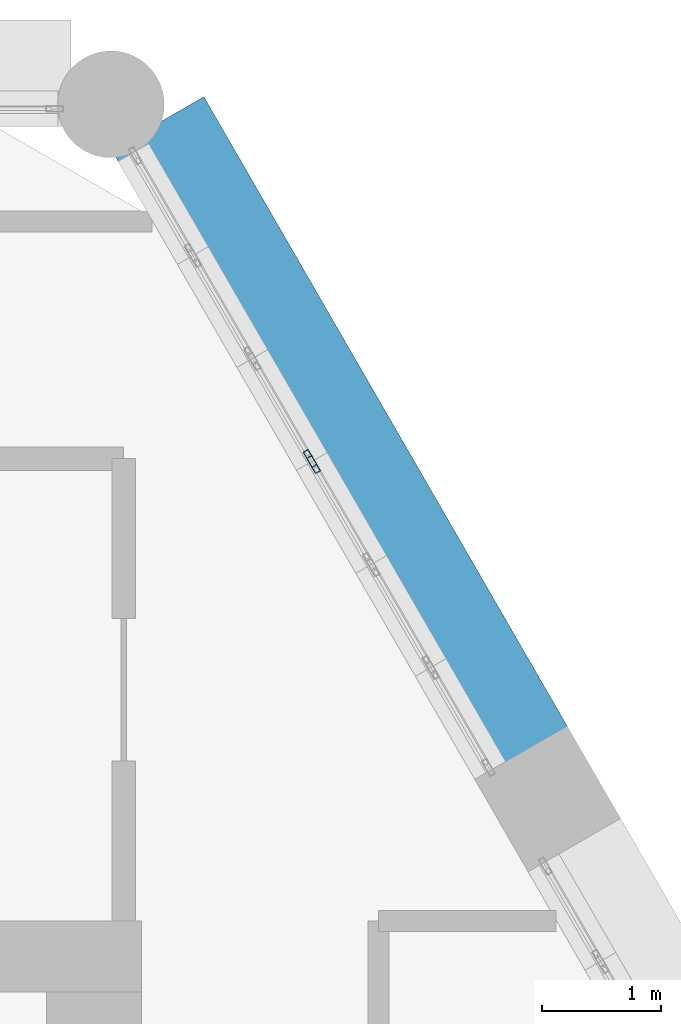
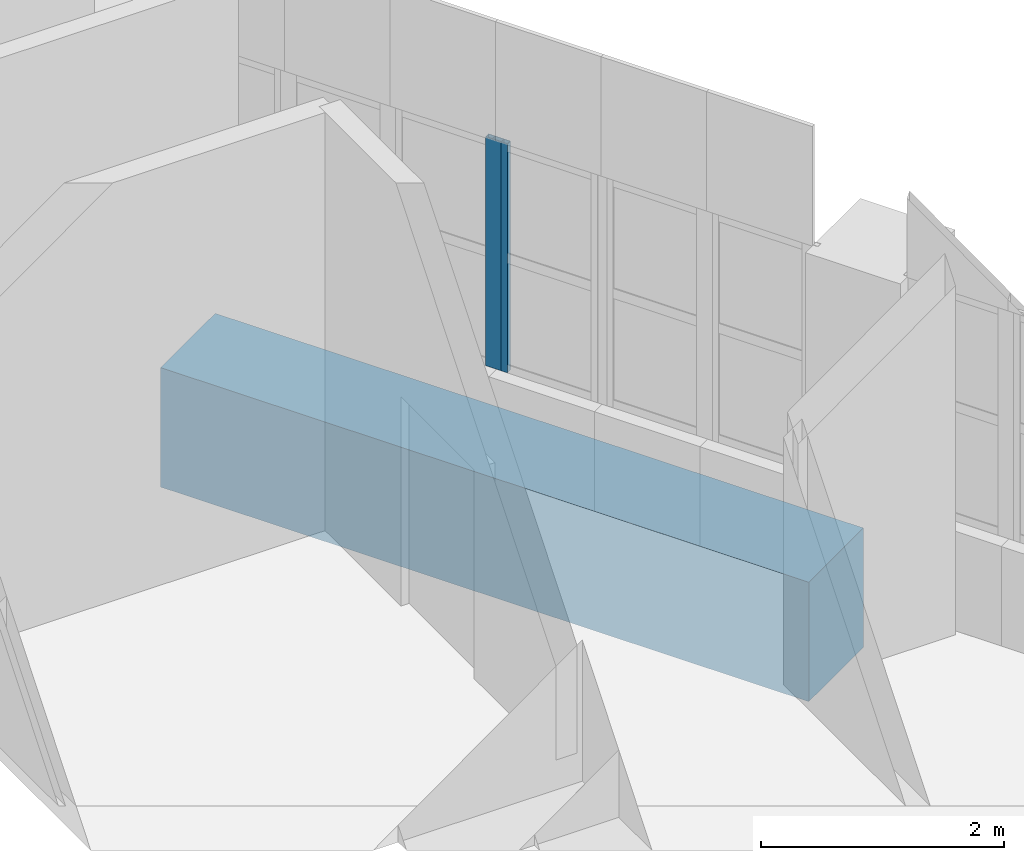
# One storey, part 10 of 23: 2 members, 1 beam, 2 elements without a shape of their own.
"""IFC4 building model written with IfcOpenShell, lengths in metres."""

from ifc_helpers import new_model, si_unit, direction, frame, origin, origin_2d, place, context, subcontext, project, spatial, rectangle, hollow_rectangle, extrude, material, material_profile, profile_set, type_object, element, aggregate, save


model = new_model("IFC4")

# Units and contexts
model_context = context("Model", 3, precision=1e-05, world=origin(), true_north=direction((0.0, 1.0)))
body_context = subcontext(model_context, "Body", "Model", "MODEL_VIEW")
ifc_project = project(units=[si_unit("LENGTHUNIT", "METRE"), si_unit("AREAUNIT", "SQUARE_METRE"), si_unit("VOLUMEUNIT", "CUBIC_METRE"), si_unit("PLANEANGLEUNIT", "RADIAN"), si_unit("MASSUNIT", "GRAM", prefix="KILO")], contexts=[model_context])

# Site, building, storey
site_placement = place(None, origin())
site = spatial("IfcSite", under=ifc_project, at=site_placement, CompositionType="ELEMENT")
building_placement = place(site_placement, origin())
building = spatial("IfcBuilding", under=site, at=building_placement, Name="Ostrander Bayou Hotel Tower", CompositionType="ELEMENT")
storey_placement = place(building_placement, frame((0.0, 0.0, 279.5)))
storey = spatial("IfcBuildingStorey", under=building, at=storey_placement, Name="L69", CompositionType="ELEMENT", Elevation=279.5)

# Curtain wall, member
ifc_material_1 = material(Name="Aluminium and clear glass", Category="aluminium")
curtain_wall_type = type_object("IfcCurtainWallType", Name="CW-CROWN glazed wall", PredefinedType="NOTDEFINED", material=ifc_material_1)
curtain_wall_1_placement = place(storey_placement, origin())
curtain_wall_1 = element("IfcCurtainWall", 1, at=curtain_wall_1_placement, inside=storey, type_object=curtain_wall_type, Name="CW-CROWN L69:NE-3-3", PredefinedType="NOTDEFINED")
ifc_material_2 = material(Name="Aluminium", Category="aluminium")
ifc_material_profile_1 = material_profile(ifc_material_2, hollow_rectangle(XDim=0.050048828125, YDim=0.14990234375, WallThickness=0.00390625, at=origin_2d()))
ifc_profile_set_1 = profile_set([ifc_material_profile_1], Name="Aluminium")
member_type = type_object("IfcMemberType", Name="CW-CR mullion 50 x 150 mm", PredefinedType="MULLION", material=ifc_profile_set_1)
member_1_placement = place(storey_placement, frame((9.951904296875, 13.550048828125, 1.0), z_axis=(0.0, 0.0, 1.0), x_axis=(-0.866069391736, -0.499923802893, 0.0)))
member_1 = element("IfcMember", 2, at=member_1_placement, type_object=member_type, Name="CW-CROWN mullion 2", PredefinedType="MULLION", context=body_context, shape_type="SweptSolid", body=[
    extrude(hollow_rectangle(XDim=0.050048828125, YDim=0.14990234375, WallThickness=0.00390625, at=origin_2d()), origin(), (0.0, 0.0, 1.0), 2.300048828125),
])
aggregate(curtain_wall_1, [member_1])

curtain_wall_2_placement = place(storey_placement, origin())
curtain_wall_2 = element("IfcCurtainWall", 3, at=curtain_wall_2_placement, inside=storey, type_object=curtain_wall_type, Name="CW-CROWN L69:NE-3-4", PredefinedType="NOTDEFINED")
member_2_placement = place(storey_placement, frame((9.921875, 13.60205078125, 1.0), z_axis=(0.0, 0.0, 1.0), x_axis=(-0.866026229865, -0.499998569184, 0.0)))
member_2 = element("IfcMember", 4, at=member_2_placement, type_object=member_type, Name="CW-CROWN mullion 1", PredefinedType="MULLION", context=body_context, shape_type="SweptSolid", body=[
    extrude(hollow_rectangle(XDim=0.050048828125, YDim=0.14990234375, WallThickness=0.00390625, at=origin_2d()), origin(), (0.0, 0.0, 1.0), 2.300048828125),
])
aggregate(curtain_wall_2, [member_2])

# Beam
ifc_material_3 = material(Name="Concrete f'c 60 MPa", Category="concrete")
ifc_material_profile_2 = material_profile(ifc_material_3, rectangle(XDim=0.89990234375, YDim=1.199951171875, at=origin_2d()))
ifc_profile_set_2 = profile_set([ifc_material_profile_2], Name="Concrete f'c 60 MPa")
beam_type = type_object("IfcBeamType", Name="SP4 spandrel beam 900 x 1200 mm f'c 60 MPa", PredefinedType="SPANDREL", material=ifc_profile_set_2)
beam_placement = place(storey_placement, frame((11.71630859375, 11.09375, -0.60009765625), z_axis=(-0.499984362083, 0.866034432152, 0.0), x_axis=(-0.866034432152, -0.499984362083, 0.0)))
element("IfcBeam", 5, at=beam_placement, inside=storey, type_object=beam_type, Name="SP4 L69 NE-3", PredefinedType="SPANDREL", context=body_context, shape_type="SweptSolid", body=[
    extrude(rectangle(XDim=0.89990234375, YDim=1.199951171875, at=origin_2d()), origin(), (0.0, 0.0, 1.0), 6.159423828125),
])

save(model, "model.ifc")
